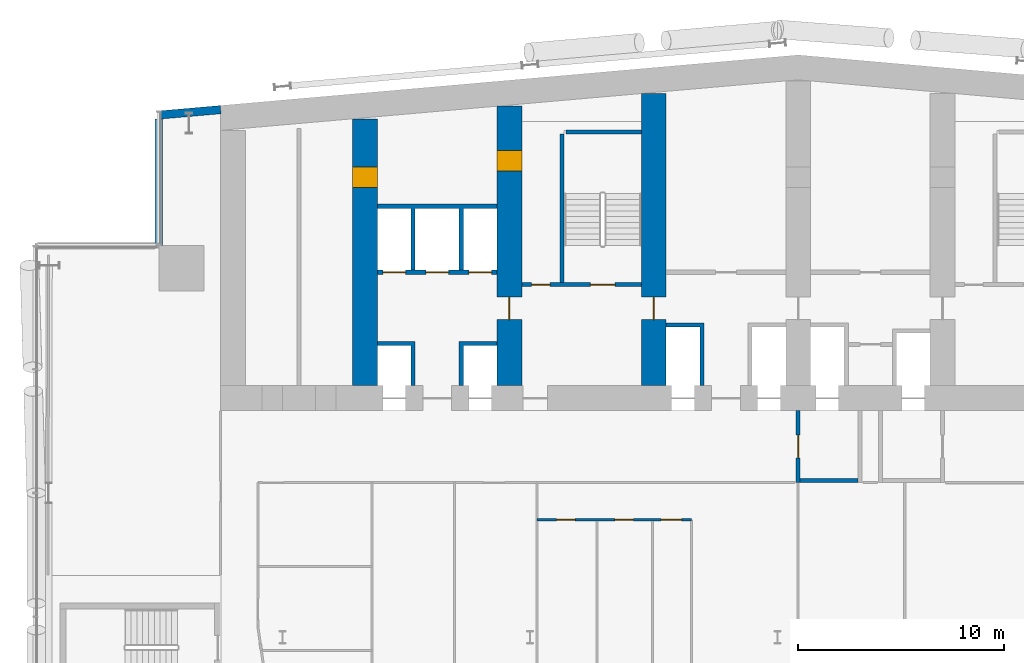
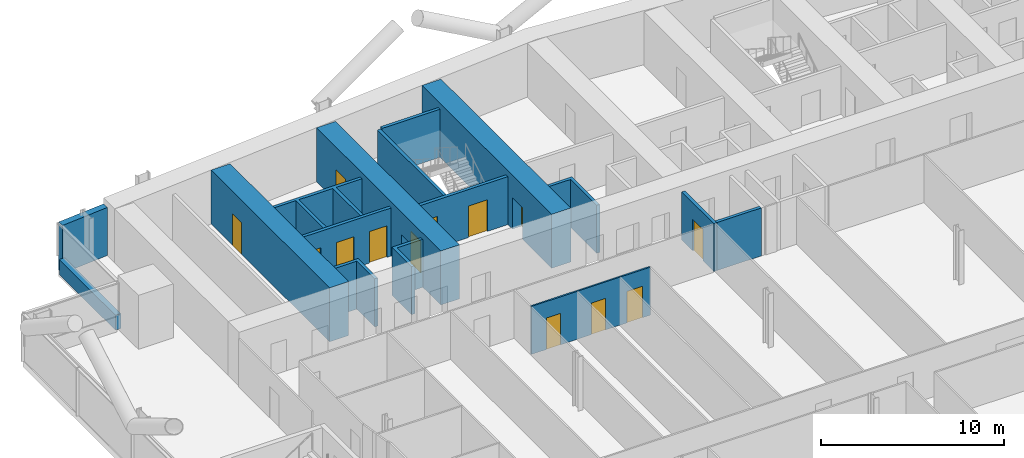
# One storey, part 16 of 27: 16 walls, 13 doors, 13 openings.
"""IFC4 building model written with IfcOpenShell, lengths in metres."""

from ifc_helpers import new_model, si_unit, direction, frame, frame_2d, origin, place, context, subcontext, project, spatial, polyline, rectangle, outline, extrude, material, layer, layer_set, type_object, element, fill, save


model = new_model("IFC4")

# Units and contexts
model_context = context("Model", 3, precision=1e-05, world=origin(), true_north=direction((0.0, 1.0)))
body_context = subcontext(model_context, "Body", "Model", "MODEL_VIEW")
ifc_project = project(units=[si_unit("LENGTHUNIT", "METRE"), si_unit("AREAUNIT", "SQUARE_METRE"), si_unit("VOLUMEUNIT", "CUBIC_METRE"), si_unit("PLANEANGLEUNIT", "RADIAN"), si_unit("MASSUNIT", "GRAM", prefix="KILO")], contexts=[model_context])

# Site, building, storey
site_placement = place(None, origin())
site = spatial("IfcSite", under=ifc_project, at=site_placement, CompositionType="ELEMENT")
building_placement = place(site_placement, origin())
building = spatial("IfcBuilding", under=site, at=building_placement, Name="Wharfspan Tower", CompositionType="ELEMENT")
storey_placement = place(building_placement, frame((0.0, 0.0, 45.100098)))
storey = spatial("IfcBuildingStorey", under=building, at=storey_placement, Name="L07", CompositionType="ELEMENT", Elevation=45.100098)

# Wall, opening, door
ifc_material_1 = material(Name="Concrete C70/85", Category="concrete")
ifc_layer_1 = layer(ifc_material_1, 1.199951)
ifc_layer_set_1 = layer_set([ifc_layer_1], Name="Concrete C70/85")
wall_type_1 = type_object("IfcWallType", Name="Core wall 1200 C70/85", PredefinedType="SHEAR", material=ifc_layer_set_1)
wall_1_placement = place(storey_placement, frame((16.0, 35.199951, 0.0), z_axis=(0.0, 0.0, 1.0), x_axis=(0.0, 1.0, 0.0)))
wall_1 = element("IfcWall", 1, at=wall_1_placement, inside=storey, type_object=wall_type_1, Name="Core cross wall X1 L07", PredefinedType="SHEAR", context=body_context, shape_type="SweptSolid", body=[
    extrude(rectangle(XDim=12.942871, YDim=1.199951, at=frame_2d((6.471436, 0.0))), origin(), (0.0, 0.0, 1.0), 3.599854),
])
opening_1_placement = place(wall_1_placement, frame((9.600098, 0.0, 0.0)))
opening_1 = element("IfcOpeningElement", 2, at=opening_1_placement, cuts=wall_1, Name="Opening CR07.1", PredefinedType="OPENING", context=body_context, shape_type="SweptSolid", body=[
    extrude(rectangle(XDim=1.0, YDim=2.100098, at=frame_2d((0.5, 1.050049))), frame((0.0, 0.609863, 0.0), z_axis=(0.0, -1.0, 0.0), x_axis=(1.0, 0.0, 0.0)), (0.0, 0.0, 1.0), 1.219971),
])
ifc_material_2 = material(Name="Steel door leaf", Category="steel")
door_type_1 = type_object("IfcDoorType", Name="Core room door 1000x2100", OperationType="SINGLE_SWING_LEFT", PredefinedType="DOOR", material=ifc_material_2)
door_1_placement = place(opening_1_placement, origin())
door_1 = element("IfcDoor", 3, at=door_1_placement, inside=storey, type_object=door_type_1, Name="xr:L07:1", OperationType="SINGLE_SWING_RIGHT", OverallHeight=2.100098, OverallWidth=1.0, PredefinedType="DOOR", context=body_context, shape_type="SweptSolid", body=[
    extrude(rectangle(XDim=1.0, YDim=2.100098, at=frame_2d((0.5, 1.050049))), frame((0.0, 0.599609, 0.0), z_axis=(0.0, -1.0, 0.0), x_axis=(1.0, 0.0, 0.0)), (0.0, 0.0, 1.0), 1.199463),
])
fill(opening_1, door_1)

# Wall, openings, doors
wall_2_placement = place(storey_placement, frame((23.0, 35.199951, 0.0), z_axis=(0.0, 0.0, 1.0), x_axis=(0.0, 1.0, 0.0)))
wall_2 = element("IfcWall", 4, at=wall_2_placement, inside=storey, type_object=wall_type_1, Name="Core cross wall X2 L07", PredefinedType="SHEAR", context=body_context, shape_type="SweptSolid", body=[
    extrude(rectangle(XDim=13.555176, YDim=1.199951, at=frame_2d((6.777588, 0.0))), origin(), (0.0, 0.0, 1.0), 3.599854),
])
opening_2_placement = place(wall_2_placement, frame((10.413818, 0.0, 0.0)))
opening_2 = element("IfcOpeningElement", 5, at=opening_2_placement, cuts=wall_2, Name="Opening CD07.1X", PredefinedType="OPENING", context=body_context, shape_type="SweptSolid", body=[
    extrude(rectangle(XDim=1.0, YDim=2.100098, at=frame_2d((0.5, 1.050049))), frame((0.0, 0.609863, 0.0), z_axis=(0.0, -1.0, 0.0), x_axis=(1.0, 0.0, 0.0)), (0.0, 0.0, 1.0), 1.219971),
])
opening_3_placement = place(wall_2_placement, frame((3.199951, 0.0, 0.0)))
opening_3 = element("IfcOpeningElement", 6, at=opening_3_placement, cuts=wall_2, Name="Opening CC07.2", PredefinedType="OPENING", context=body_context, shape_type="SweptSolid", body=[
    extrude(rectangle(XDim=1.100098, YDim=2.100098, at=frame_2d((0.550049, 1.050049))), frame((0.0, 0.609863, 0.0), z_axis=(0.0, -1.0, 0.0), x_axis=(1.0, 0.0, 0.0)), (0.0, 0.0, 1.0), 1.219971),
])
door_type_2 = type_object("IfcDoorType", Name="Core corridor door 1100x2100", OperationType="SINGLE_SWING_LEFT", PredefinedType="DOOR", material=ifc_material_2)
door_2_placement = place(opening_3_placement, origin())
door_2 = element("IfcDoor", 7, at=door_2_placement, inside=storey, type_object=door_type_2, Name="xd:L07:2", OperationType="SINGLE_SWING_RIGHT", OverallHeight=2.100098, OverallWidth=1.100098, PredefinedType="DOOR", context=body_context, shape_type="SweptSolid", body=[
    extrude(rectangle(XDim=1.100098, YDim=2.100098, at=frame_2d((0.550049, 1.050049))), frame((0.0, 0.024902, 0.0), z_axis=(0.0, -1.0, 0.0), x_axis=(1.0, 0.0, 0.0)), (0.0, 0.0, 1.0), 0.050049),
])
fill(opening_3, door_2)
door_3_placement = place(opening_2_placement, origin())
door_3 = element("IfcDoor", 8, at=door_3_placement, inside=storey, type_object=door_type_1, Name="d:L07:1:sx", OperationType="SINGLE_SWING_LEFT", OverallHeight=2.100098, OverallWidth=1.0, PredefinedType="DOOR", context=body_context, shape_type="SweptSolid", body=[
    extrude(rectangle(XDim=1.0, YDim=2.100098, at=frame_2d((0.5, 1.050049))), frame((0.0, 0.599609, 0.0), z_axis=(0.0, -1.0, 0.0), x_axis=(1.0, 0.0, 0.0)), (0.0, 0.0, 1.0), 1.199463),
])
fill(opening_2, door_3)

# Wall, opening, door
wall_3_placement = place(storey_placement, frame((30.0, 35.199951, 0.0), z_axis=(0.0, 0.0, 1.0), x_axis=(0.0, 1.0, 0.0)))
wall_3 = element("IfcWall", 9, at=wall_3_placement, inside=storey, type_object=wall_type_1, Name="Core cross wall X3 L07", PredefinedType="SHEAR", context=body_context, shape_type="SweptSolid", body=[
    extrude(rectangle(XDim=14.167725, YDim=1.199951, at=frame_2d((7.083984, 0.0))), origin(), (0.0, 0.0, 1.0), 3.599854),
])
opening_4_placement = place(wall_3_placement, frame((3.199951, 0.0, 0.0)))
opening_4 = element("IfcOpeningElement", 10, at=opening_4_placement, cuts=wall_3, Name="Opening CC07.3", PredefinedType="OPENING", context=body_context, shape_type="SweptSolid", body=[
    extrude(rectangle(XDim=1.100098, YDim=2.100098, at=frame_2d((0.550049, 1.050049))), frame((0.0, 0.609863, 0.0), z_axis=(0.0, -1.0, 0.0), x_axis=(1.0, 0.0, 0.0)), (0.0, 0.0, 1.0), 1.219971),
])
door_4_placement = place(opening_4_placement, origin())
door_4 = element("IfcDoor", 11, at=door_4_placement, inside=storey, type_object=door_type_2, Name="xd:L07:3", OperationType="SINGLE_SWING_LEFT", OverallHeight=2.100098, OverallWidth=1.100098, PredefinedType="DOOR", context=body_context, shape_type="SweptSolid", body=[
    extrude(rectangle(XDim=1.100098, YDim=2.100098, at=frame_2d((0.550049, 1.050049))), frame((0.0, 0.024902, 0.0), z_axis=(0.0, -1.0, 0.0), x_axis=(1.0, 0.0, 0.0)), (0.0, 0.0, 1.0), 0.050049),
])
fill(opening_4, door_4)

# Wall, openings, doors
ifc_material_3 = material(Name="Concrete C30/37", Category="concrete")
ifc_layer_2 = layer(ifc_material_3, 0.199951)
ifc_layer_set_2 = layer_set([ifc_layer_2], Name="Concrete C30/37")
wall_type_2 = type_object("IfcWallType", Name="Lift shaft wall 200", PredefinedType="PARTITIONING", material=ifc_layer_set_2)
wall_4_placement = place(storey_placement, frame((16.600098, 40.699951, 0.0), z_axis=(0.0, 0.0, 1.0), x_axis=(1.0, 0.0, 0.0)))
wall_4 = element("IfcWall", 12, at=wall_4_placement, inside=storey, type_object=wall_type_2, Name="sw:L07:RF1", PredefinedType="PARTITIONING", context=body_context, shape_type="SweptSolid", body=[
    extrude(rectangle(XDim=5.799805, YDim=0.199951, at=frame_2d((2.899902, 0.0))), origin(), (0.0, 0.0, 1.0), 3.199951),
])
opening_5_placement = place(wall_4_placement, frame((0.266602, 0.0, 0.0)))
opening_5 = element("IfcOpeningElement", 13, at=opening_5_placement, cuts=wall_4, Name="Opening LD.LA3.L07", PredefinedType="OPENING", context=body_context, shape_type="SweptSolid", body=[
    extrude(rectangle(XDim=1.100098, YDim=2.100098, at=frame_2d((0.550049, 1.050049))), frame((0.0, 0.109863, 0.0), z_axis=(0.0, -1.0, 0.0), x_axis=(1.0, 0.0, 0.0)), (0.0, 0.0, 1.0), 0.219971),
])
opening_6_placement = place(wall_4_placement, frame((2.350098, 0.0, 0.0)))
opening_6 = element("IfcOpeningElement", 14, at=opening_6_placement, cuts=wall_4, Name="Opening LD.LA4.L07", PredefinedType="OPENING", context=body_context, shape_type="SweptSolid", body=[
    extrude(rectangle(XDim=1.100098, YDim=2.100098, at=frame_2d((0.550049, 1.050049))), frame((0.0, 0.109863, 0.0), z_axis=(0.0, -1.0, 0.0), x_axis=(1.0, 0.0, 0.0)), (0.0, 0.0, 1.0), 0.219971),
])
opening_7_placement = place(wall_4_placement, frame((4.43335, 0.0, 0.0)))
opening_7 = element("IfcOpeningElement", 15, at=opening_7_placement, cuts=wall_4, Name="Opening LD.LA5.L07", PredefinedType="OPENING", context=body_context, shape_type="SweptSolid", body=[
    extrude(rectangle(XDim=1.100098, YDim=2.100098, at=frame_2d((0.550049, 1.050049))), frame((0.0, 0.109863, 0.0), z_axis=(0.0, -1.0, 0.0), x_axis=(1.0, 0.0, 0.0)), (0.0, 0.0, 1.0), 0.219971),
])
ifc_material_4 = material(Name="Stainless steel", Category="steel")
door_type_3 = type_object("IfcDoorType", Name="Lift landing door 1100x2100", OperationType="DOUBLE_DOOR_SLIDING", PredefinedType="DOOR", material=ifc_material_4)
door_5_placement = place(opening_5_placement, origin())
door_5 = element("IfcDoor", 16, at=door_5_placement, inside=storey, type_object=door_type_3, Name="Landing door LA3 L07", OperationType="DOUBLE_DOOR_SLIDING", OverallHeight=2.100098, OverallWidth=1.100098, PredefinedType="DOOR", context=body_context, shape_type="SweptSolid", body=[
    extrude(rectangle(XDim=1.100098, YDim=2.100098, at=frame_2d((0.550049, 1.050049))), frame((0.0, 0.024902, 0.0), z_axis=(0.0, -1.0, 0.0), x_axis=(1.0, 0.0, 0.0)), (0.0, 0.0, 1.0), 0.050049),
])
fill(opening_5, door_5)
door_6_placement = place(opening_6_placement, origin())
door_6 = element("IfcDoor", 17, at=door_6_placement, inside=storey, type_object=door_type_3, Name="Landing door LA4 L07", OperationType="DOUBLE_DOOR_SLIDING", OverallHeight=2.100098, OverallWidth=1.100098, PredefinedType="DOOR", context=body_context, shape_type="SweptSolid", body=[
    extrude(rectangle(XDim=1.100098, YDim=2.100098, at=frame_2d((0.550049, 1.050049))), frame((0.0, 0.024902, 0.0), z_axis=(0.0, -1.0, 0.0), x_axis=(1.0, 0.0, 0.0)), (0.0, 0.0, 1.0), 0.050049),
])
fill(opening_6, door_6)
door_7_placement = place(opening_7_placement, origin())
door_7 = element("IfcDoor", 18, at=door_7_placement, inside=storey, type_object=door_type_3, Name="Landing door LA5 L07", OperationType="DOUBLE_DOOR_SLIDING", OverallHeight=2.100098, OverallWidth=1.100098, PredefinedType="DOOR", context=body_context, shape_type="SweptSolid", body=[
    extrude(rectangle(XDim=1.100098, YDim=2.100098, at=frame_2d((0.550049, 1.050049))), frame((0.0, 0.024902, 0.0), z_axis=(0.0, -1.0, 0.0), x_axis=(1.0, 0.0, 0.0)), (0.0, 0.0, 1.0), 0.050049),
])
fill(opening_7, door_7)

# Walls
wall_5_placement = place(storey_placement, frame((0.0, 0.0, -0.000244)))
element("IfcWall", 19, at=wall_5_placement, inside=storey, type_object=wall_type_2, Name="sw:L07:FM1.0", PredefinedType="PARTITIONING", context=body_context, shape_type="SweptSolid", body=[
    extrude(outline(polyline([(18.233398, 37.149902), (16.600098, 37.149902), (16.600098, 37.350098), (18.233398, 37.350098), (18.43335, 37.350098), (18.43335, 35.199951), (18.233398, 35.199951), (18.233398, 37.149902)])), origin(), (0.0, 0.0, 1.0), 3.200195),
])
wall_6_placement = place(storey_placement, frame((0.0, 0.0, -0.000244)))
element("IfcWall", 20, at=wall_6_placement, inside=storey, type_object=wall_type_2, Name="sw:L07:FM1.1", PredefinedType="PARTITIONING", context=body_context, shape_type="SweptSolid", body=[
    extrude(outline(polyline([(20.56665, 37.350098), (20.766602, 37.350098), (22.399902, 37.350098), (22.399902, 37.149902), (20.766602, 37.149902), (20.766602, 35.199951), (20.56665, 35.199951), (20.56665, 37.350098)])), origin(), (0.0, 0.0, 1.0), 3.200195),
])
wall_7_placement = place(storey_placement, frame((0.0, 0.0, -0.000244)))
element("IfcWall", 21, at=wall_7_placement, inside=storey, type_object=wall_type_2, Name="sw:L07:RM1.0", PredefinedType="PARTITIONING", context=body_context, shape_type="SweptSolid", body=[
    extrude(outline(polyline([(18.43335, 40.800049), (18.233398, 40.800049), (18.233398, 43.800049), (16.600098, 43.800049), (16.600098, 44.0), (22.399902, 44.0), (22.399902, 43.800049), (20.766602, 43.800049), (20.766602, 40.800049), (20.56665, 40.800049), (20.56665, 43.800049), (18.43335, 43.800049), (18.43335, 40.800049)])), origin(), (0.0, 0.0, 1.0), 3.200195),
])
wall_8_placement = place(storey_placement, frame((0.0, 0.0, -0.000244)))
element("IfcWall", 22, at=wall_8_placement, inside=storey, type_object=wall_type_2, Name="sw:L07:FM3.0", PredefinedType="PARTITIONING", context=body_context, shape_type="SweptSolid", body=[
    extrude(outline(polyline([(32.233398, 38.050049), (30.600098, 38.050049), (30.600098, 38.25), (32.233398, 38.25), (32.43335, 38.25), (32.43335, 35.199951), (32.233398, 35.199951), (32.233398, 38.050049)])), origin(), (0.0, 0.0, 1.0), 3.200195),
])

# Wall, opening, door
ifc_layer_3 = layer(ifc_material_3, 0.199951)
ifc_layer_set_3 = layer_set([ifc_layer_3], Name="Concrete C30/37")
wall_type_3 = type_object("IfcWallType", Name="Lobby wall 200", PredefinedType="PARTITIONING", material=ifc_layer_set_3)
wall_9_placement = place(storey_placement, frame((37.0, 30.5, 0.0), z_axis=(0.0, 0.0, 1.0), x_axis=(0.0, 1.0, 0.0)))
wall_9 = element("IfcWall", 23, at=wall_9_placement, inside=storey, type_object=wall_type_3, Name="sw:L07:FLFF1W", PredefinedType="PARTITIONING", context=body_context, shape_type="SweptSolid", body=[
    extrude(rectangle(XDim=3.5, YDim=0.199951, at=frame_2d((1.75, 0.0))), origin(), (0.0, 0.0, 1.0), 3.199951),
])
opening_8_placement = place(wall_9_placement, frame((1.199951, 0.0, 0.0)))
opening_8 = element("IfcOpeningElement", 24, at=opening_8_placement, cuts=wall_9, Name="Opening FL.FF1.L07", PredefinedType="OPENING", context=body_context, shape_type="SweptSolid", body=[
    extrude(rectangle(XDim=1.100098, YDim=2.100098, at=frame_2d((0.550049, 1.050049))), frame((0.0, 0.109863, 0.0), z_axis=(0.0, -1.0, 0.0), x_axis=(1.0, 0.0, 0.0)), (0.0, 0.0, 1.0), 0.219971),
])
door_type_4 = type_object("IfcDoorType", Name="Firefighting lobby door 1100x2100", OperationType="SINGLE_SWING_LEFT", PredefinedType="DOOR", material=ifc_material_2)
door_8_placement = place(opening_8_placement, origin())
door_8 = element("IfcDoor", 25, at=door_8_placement, inside=storey, type_object=door_type_4, Name="fd:L07:FF1", OperationType="SINGLE_SWING_LEFT", OverallHeight=2.100098, OverallWidth=1.100098, PredefinedType="DOOR", context=body_context, shape_type="SweptSolid", body=[
    extrude(rectangle(XDim=1.100098, YDim=2.100098, at=frame_2d((0.550049, 1.050049))), frame((0.0, 0.024902, 0.0), z_axis=(0.0, -1.0, 0.0), x_axis=(1.0, 0.0, 0.0)), (0.0, 0.0, 1.0), 0.050049),
])
fill(opening_8, door_8)

# Wall
wall_10_placement = place(storey_placement, frame((37.100098, 30.600098, 0.0), z_axis=(0.0, 0.0, 1.0), x_axis=(1.0, 0.0, 0.0)))
element("IfcWall", 26, at=wall_10_placement, inside=storey, type_object=wall_type_3, Name="sw:L07:FLFF1F", PredefinedType="PARTITIONING", context=body_context, shape_type="SweptSolid", body=[
    extrude(rectangle(XDim=2.799805, YDim=0.199951, at=frame_2d((1.399902, 0.0))), origin(), (0.0, 0.0, 1.0), 3.199951),
])

# Wall, openings, doors
ifc_material_5 = material(Name="Gypsum board on steel studs", Category="steel")
ifc_layer_4 = layer(ifc_material_5, 0.100098)
ifc_layer_set_4 = layer_set([ifc_layer_4], Name="Gypsum board on steel studs")
wall_type_4 = type_object("IfcWallType", Name="Partition 100", PredefinedType="PARTITIONING", material=ifc_layer_set_4)
wall_11_placement = place(storey_placement, frame((24.334961, 28.699951, 0.0), z_axis=(0.0, 0.0, 1.0), x_axis=(1.0, 0.0, 0.0)))
wall_11 = element("IfcWall", 27, at=wall_11_placement, inside=storey, type_object=wall_type_4, Name="Partition L07.w029", PredefinedType="PARTITIONING", context=body_context, shape_type="SweptSolid", body=[
    extrude(rectangle(XDim=7.5, YDim=0.100098, at=frame_2d((3.75, 0.0))), origin(), (0.0, 0.0, 1.0), 3.199951),
])
opening_9_placement = place(wall_11_placement, frame((0.949951, 0.0, 0.0)))
opening_9 = element("IfcOpeningElement", 28, at=opening_9_placement, cuts=wall_11, Name="Opening A1-22", PredefinedType="OPENING", context=body_context, shape_type="SweptSolid", body=[
    extrude(rectangle(XDim=0.899902, YDim=2.100098, at=frame_2d((0.449951, 1.050049))), frame((0.0, 0.060059, 0.0), z_axis=(0.0, -1.0, 0.0), x_axis=(1.0, 0.0, 0.0)), (0.0, 0.0, 1.0), 0.120117),
])
opening_10_placement = place(wall_11_placement, frame((3.780029, 0.0, 0.0)))
opening_10 = element("IfcOpeningElement", 29, at=opening_10_placement, cuts=wall_11, Name="Opening A1-23", PredefinedType="OPENING", context=body_context, shape_type="SweptSolid", body=[
    extrude(rectangle(XDim=0.899902, YDim=2.100098, at=frame_2d((0.449951, 1.050049))), frame((0.0, 0.060059, 0.0), z_axis=(0.0, -1.0, 0.0), x_axis=(1.0, 0.0, 0.0)), (0.0, 0.0, 1.0), 0.120117),
])
opening_11_placement = place(wall_11_placement, frame((6.02002, 0.0, 0.0)))
opening_11 = element("IfcOpeningElement", 30, at=opening_11_placement, cuts=wall_11, Name="Opening A1-24", PredefinedType="OPENING", context=body_context, shape_type="SweptSolid", body=[
    extrude(rectangle(XDim=1.0, YDim=2.100098, at=frame_2d((0.5, 1.050049))), frame((0.0, 0.060059, 0.0), z_axis=(0.0, -1.0, 0.0), x_axis=(1.0, 0.0, 0.0)), (0.0, 0.0, 1.0), 0.120117),
])
ifc_material_6 = material(Name="Timber door leaf in steel frame", Category="steel")
door_type_5 = type_object("IfcDoorType", Name="Door 1000 NOT RATED Right", OperationType="SINGLE_SWING_RIGHT", PredefinedType="DOOR", material=ifc_material_6)
door_9_placement = place(opening_11_placement, origin())
door_9 = element("IfcDoor", 31, at=door_9_placement, inside=storey, type_object=door_type_5, Name="Door A1-24", OperationType="SINGLE_SWING_RIGHT", OverallHeight=2.100098, OverallWidth=1.0, PredefinedType="DOOR", context=body_context, shape_type="SweptSolid", body=[
    extrude(rectangle(XDim=1.0, YDim=2.100098, at=frame_2d((0.5, 1.050049))), frame((0.0, 0.024902, 0.0), z_axis=(0.0, -1.0, 0.0), x_axis=(1.0, 0.0, 0.0)), (0.0, 0.0, 1.0), 0.050049),
])
fill(opening_11, door_9)
door_type_6 = type_object("IfcDoorType", Name="Door 900 NOT RATED Left", OperationType="SINGLE_SWING_LEFT", PredefinedType="DOOR", material=ifc_material_6)
door_10_placement = place(opening_9_placement, origin())
door_10 = element("IfcDoor", 32, at=door_10_placement, inside=storey, type_object=door_type_6, Name="Door A1-22", OperationType="SINGLE_SWING_LEFT", OverallHeight=2.100098, OverallWidth=0.899902, PredefinedType="DOOR", context=body_context, shape_type="SweptSolid", body=[
    extrude(rectangle(XDim=0.899902, YDim=2.100098, at=frame_2d((0.449951, 1.050049))), frame((0.0, 0.024902, 0.0), z_axis=(0.0, -1.0, 0.0), x_axis=(1.0, 0.0, 0.0)), (0.0, 0.0, 1.0), 0.050049),
])
fill(opening_9, door_10)
door_type_7 = type_object("IfcDoorType", Name="Door 900 NOT RATED Right", OperationType="SINGLE_SWING_RIGHT", PredefinedType="DOOR", material=ifc_material_6)
door_11_placement = place(opening_10_placement, origin())
door_11 = element("IfcDoor", 33, at=door_11_placement, inside=storey, type_object=door_type_7, Name="Door A1-23", OperationType="SINGLE_SWING_RIGHT", OverallHeight=2.100098, OverallWidth=0.899902, PredefinedType="DOOR", context=body_context, shape_type="SweptSolid", body=[
    extrude(rectangle(XDim=0.899902, YDim=2.100098, at=frame_2d((0.449951, 1.050049))), frame((0.0, 0.024902, 0.0), z_axis=(0.0, -1.0, 0.0), x_axis=(1.0, 0.0, 0.0)), (0.0, 0.0, 1.0), 0.050049),
])
fill(opening_10, door_11)

# Wall
ifc_material_7 = material(Name="Concrete C40/50", Category="concrete")
ifc_layer_5 = layer(ifc_material_7, 0.350098)
ifc_layer_set_5 = layer_set([ifc_layer_5], Name="Concrete C40/50")
wall_type_5 = type_object("IfcWallType", Name="SPANDREL EXPOSED CONCRETE 350", PredefinedType="SOLIDWALL", material=ifc_layer_set_5)
wall_12_placement = place(storey_placement, frame((5.995117, 48.126465, 0.0), z_axis=(0.0, 0.0, 1.0), x_axis=(0.0, -1.0, 0.0)))
element("IfcWall", 34, at=wall_12_placement, inside=storey, type_object=wall_type_5, Name="Spandrel upstand L07 NRW-V", PredefinedType="SOLIDWALL", context=body_context, shape_type="SweptSolid", body=[
    extrude(rectangle(XDim=6.126465, YDim=0.350098, at=frame_2d((3.063232, 0.0))), origin(), (0.0, 0.0, 1.0), 1.0),
])

# Wall, openings, doors
ifc_layer_6 = layer(ifc_material_7, 0.199951)
ifc_layer_set_6 = layer_set([ifc_layer_6], Name="Concrete C40/50")
wall_type_6 = type_object("IfcWallType", Name="Stair shaft wall 200", PredefinedType="SHEAR", material=ifc_layer_set_6)
wall_13_placement = place(storey_placement, frame((23.600098, 40.100098, 0.0), z_axis=(0.0, 0.0, 1.0), x_axis=(1.0, 0.0, 0.0)))
wall_13 = element("IfcWall", 35, at=wall_13_placement, inside=storey, type_object=wall_type_6, Name="ST1 stair enclosure wall L07", PredefinedType="SHEAR", context=body_context, shape_type="SweptSolid", body=[
    extrude(rectangle(XDim=5.799805, YDim=0.199951, at=frame_2d((2.899902, 0.0))), origin(), (0.0, 0.0, 1.0), 3.199951),
])
opening_12_placement = place(wall_13_placement, frame((3.324951, 0.0, 0.0)))
opening_12 = element("IfcOpeningElement", 36, at=opening_12_placement, cuts=wall_13, Name="Opening SD2.L07", PredefinedType="OPENING", context=body_context, shape_type="SweptSolid", body=[
    extrude(rectangle(XDim=1.199951, YDim=2.100098, at=frame_2d((0.600098, 1.050049))), frame((0.0, 0.109863, 0.0), z_axis=(0.0, -1.0, 0.0), x_axis=(1.0, 0.0, 0.0)), (0.0, 0.0, 1.0), 0.219971),
])
opening_13_placement = place(wall_13_placement, frame((0.475098, 0.0, 0.0)))
opening_13 = element("IfcOpeningElement", 37, at=opening_13_placement, cuts=wall_13, Name="Opening CD07.2R", PredefinedType="OPENING", context=body_context, shape_type="SweptSolid", body=[
    extrude(rectangle(XDim=0.899902, YDim=2.100098, at=frame_2d((0.449951, 1.050049))), frame((0.0, 0.109863, 0.0), z_axis=(0.0, -1.0, 0.0), x_axis=(1.0, 0.0, 0.0)), (0.0, 0.0, 1.0), 0.219971),
])
door_12_placement = place(opening_13_placement, origin())
door_12 = element("IfcDoor", 38, at=door_12_placement, inside=storey, type_object=door_type_1, Name="rk:L07:2", OperationType="SINGLE_SWING_LEFT", OverallHeight=2.100098, OverallWidth=0.899902, PredefinedType="DOOR", context=body_context, shape_type="SweptSolid", body=[
    extrude(rectangle(XDim=0.899902, YDim=2.100098, at=frame_2d((0.449951, 1.050049))), frame((0.0, 0.024902, 0.0), z_axis=(0.0, -1.0, 0.0), x_axis=(1.0, 0.0, 0.0)), (0.0, 0.0, 1.0), 0.050049),
])
fill(opening_13, door_12)
door_type_8 = type_object("IfcDoorType", Name="Stair door 1200x2100", OperationType="SINGLE_SWING_LEFT", PredefinedType="DOOR", material=ifc_material_2)
door_13_placement = place(opening_12_placement, origin())
door_13 = element("IfcDoor", 39, at=door_13_placement, inside=storey, type_object=door_type_8, Name="sd:L07:2", OperationType="SINGLE_SWING_RIGHT", OverallHeight=2.100098, OverallWidth=1.199951, PredefinedType="DOOR", context=body_context, shape_type="SweptSolid", body=[
    extrude(rectangle(XDim=1.199951, YDim=2.100098, at=frame_2d((0.600098, 1.050049))), frame((0.0, 0.024902, 0.0), z_axis=(0.0, -1.0, 0.0), x_axis=(1.0, 0.0, 0.0)), (0.0, 0.0, 1.0), 0.050049),
])
fill(opening_12, door_13)

# Walls
wall_14_placement = place(storey_placement, frame((25.550049, 40.199951, 0.0), z_axis=(0.0, 0.0, 1.0), x_axis=(0.0, 1.0, 0.0)))
element("IfcWall", 40, at=wall_14_placement, inside=storey, type_object=wall_type_6, Name="ST1 stair enclosure wall L07", PredefinedType="SHEAR", context=body_context, shape_type="SweptSolid", body=[
    extrude(rectangle(XDim=7.199951, YDim=0.199951, at=frame_2d((3.600098, 0.0))), origin(), (0.0, 0.0, 1.0), 3.199951),
])
wall_15_placement = place(storey_placement, frame((25.75, 47.5, 0.0), z_axis=(0.0, 0.0, 1.0), x_axis=(1.0, 0.0, 0.0)))
element("IfcWall", 41, at=wall_15_placement, inside=storey, type_object=wall_type_6, Name="ST1 stair enclosure wall L07", PredefinedType="SHEAR", context=body_context, shape_type="SweptSolid", body=[
    extrude(rectangle(XDim=3.649902, YDim=0.199951, at=frame_2d((1.824951, 0.0))), origin(), (0.0, 0.0, 1.0), 3.199951),
])
ifc_layer_7 = layer(ifc_material_7, 0.399902)
ifc_layer_set_7 = layer_set([ifc_layer_7], Name="Concrete C40/50")
wall_type_7 = type_object("IfcWallType", Name="WALL EXPOSED CONCRETE 400", PredefinedType="SOLIDWALL", material=ifc_layer_set_7)
wall_16_placement = place(storey_placement, frame((9.0, 48.58667, 0.0), z_axis=(0.0, 0.0, 1.0), x_axis=(-0.996194, -0.087168, 0.0)))
element("IfcWall", 42, at=wall_16_placement, inside=storey, type_object=wall_type_7, Name="Rear wall N1", PredefinedType="SOLIDWALL", context=body_context, shape_type="SweptSolid", body=[
    extrude(rectangle(XDim=2.994141, YDim=0.399902, at=frame_2d((1.49707, 0.0))), origin(), (0.0, 0.0, 1.0), 3.199951),
])

save(model, "model.ifc")
